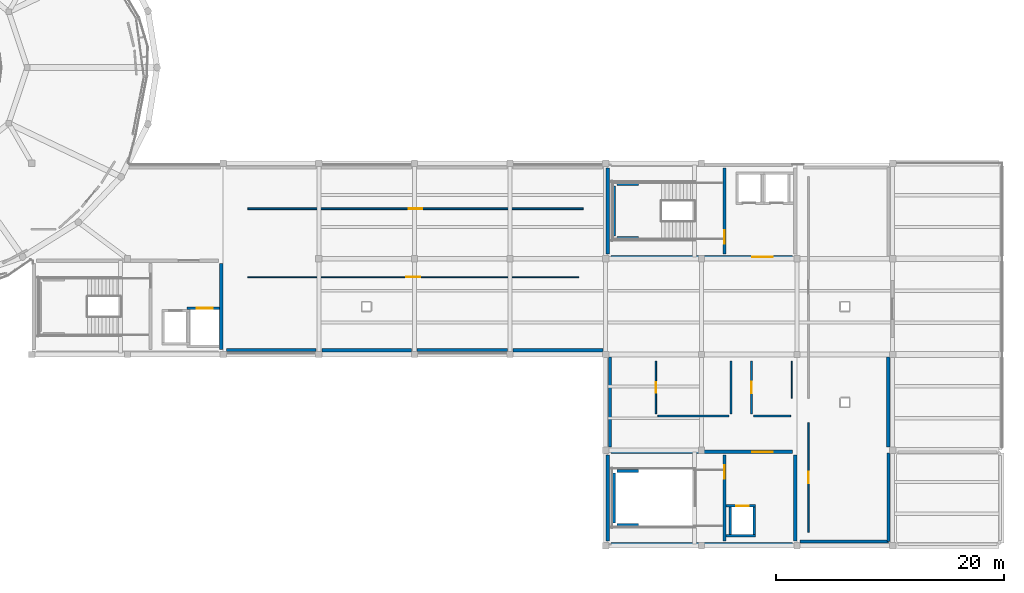
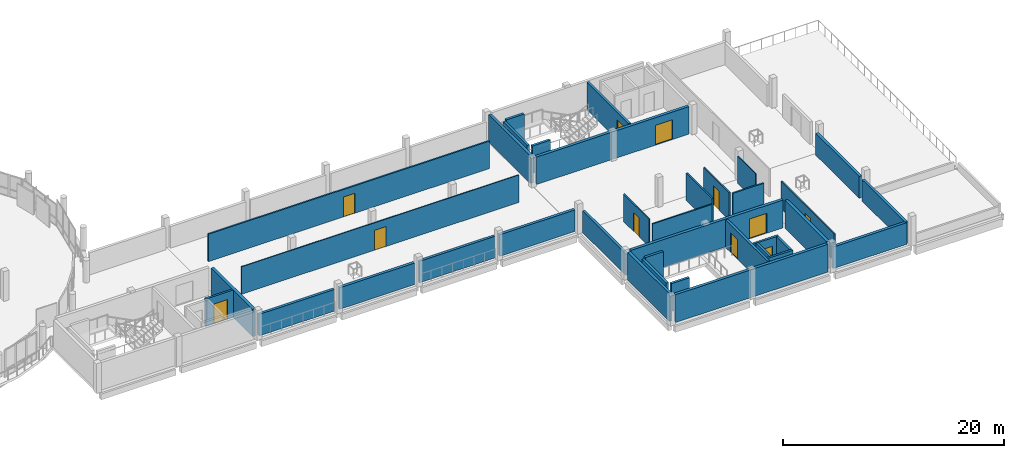
# One storey, part 32 of 43: 37 walls, 11 doors, 11 openings.
"""IFC4 building model written with IfcOpenShell, lengths in metres."""

from ifc_helpers import new_model, si_unit, derived_unit, direction, frame, frame_2d, origin, place, context, subcontext, project, spatial, rectangle, extrude, material, layer, layer_set, type_object, element, fill, save


model = new_model("IFC4")

# Units and contexts
model_context = context("Model", 3, precision=1e-05, world=origin(), true_north=direction((0.0, 1.0)))
body_context = subcontext(model_context, "Body", "Model", "MODEL_VIEW")
ifc_project = project(units=[si_unit("LENGTHUNIT", "METRE"), si_unit("AREAUNIT", "SQUARE_METRE"), si_unit("VOLUMEUNIT", "CUBIC_METRE"), si_unit("PLANEANGLEUNIT", "RADIAN"), si_unit("MASSUNIT", "GRAM", prefix="KILO"), derived_unit("THERMALTRANSMITTANCEUNIT", [(si_unit("POWERUNIT", "WATT"), 1), (si_unit("LENGTHUNIT", "METRE"), -2), (si_unit("THERMODYNAMICTEMPERATUREUNIT", "KELVIN"), -1)])], contexts=[model_context])

# Site, building, storey
site_placement = place(None, origin())
site = spatial("IfcSite", under=ifc_project, at=site_placement, CompositionType="ELEMENT")
building_placement = place(site_placement, origin())
building = spatial("IfcBuilding", under=site, at=building_placement, Name="Elbkamm Science Centre", CompositionType="ELEMENT")
storey_placement = place(building_placement, frame((0.0, 0.0, 18.300048828125)))
storey = spatial("IfcBuildingStorey", under=building, at=storey_placement, Name="L04", CompositionType="ELEMENT", Elevation=18.300048828125)

# Walls
ifc_material_1 = material(Name="Reinforced concrete C40/50", Category="concrete")
ifc_layer_1 = layer(ifc_material_1, 0.25)
ifc_layer_set_1 = layer_set([ifc_layer_1], Name="Reinforced concrete C40/50")
wall_type_1 = type_object("IfcWallType", Name="WL-CORE-250", PredefinedType="SHEAR", material=ifc_layer_set_1)
wall_1_placement = place(storey_placement, frame((126.739990234375, 52.419921875, 0.0), z_axis=(0.0, 0.0, 1.0), x_axis=(0.0, 1.0, 0.0)))
element("IfcWall", 1, at=wall_1_placement, inside=storey, type_object=wall_type_1, Name="L04 ST-C3 Shaft Bearing Wall W", PredefinedType="SHEAR", context=body_context, shape_type="SweptSolid", body=[
    extrude(rectangle(XDim=4.360107421875, YDim=0.25, at=frame_2d((2.18017578125, 0.0))), origin(), (0.0, 0.0, 1.0), 3.0400390625),
])
for number, where, z_axis, x_axis, name in (
    (2, (126.989990234375, 52.219970703125, 0.0), (0.0, 0.0, 1.0), (1.0, 0.0, 0.0), "L04 ST-C3 Shaft Bearing Wall S"),
    (3, (126.989990234375, 56.97998046875, 0.0), (0.0, 0.0, 1.0), (1.0, 0.0, 0.0), "L04 ST-C3 Shaft Bearing Wall N"),
):
    element("IfcWall", number, at=place(storey_placement, frame(where, z_axis=z_axis, x_axis=x_axis)), inside=storey, type_object=wall_type_1, Name=name, PredefinedType="SHEAR", context=body_context, shape_type="SweptSolid", body=[
        extrude(rectangle(XDim=1.889892578125, YDim=0.25, at=frame_2d((0.94482421875, 0.0))), origin(), (0.0, 0.0, 1.0), 3.0400390625),
    ])

# Wall, opening, door
wall_2_placement = place(storey_placement, frame((136.419921875, 50.820068359375, 0.0), z_axis=(0.0, 0.0, 1.0), x_axis=(0.0, 1.0, 0.0)))
wall_2 = element("IfcWall", 4, at=wall_2_placement, inside=storey, type_object=wall_type_1, Name="L04 C3 Stairwell Compartment Wall", PredefinedType="SHEAR", context=body_context, shape_type="SweptSolid", body=[
    extrude(rectangle(XDim=7.559814453125, YDim=0.25, at=frame_2d((3.77978515625, 0.0))), origin(), (0.0, 0.0, 1.0), 3.0400390625),
])
opening_1_placement = place(wall_2_placement, frame((0.89990234375, 0.0, 0.0)))
opening_1 = element("IfcOpeningElement", 5, at=opening_1_placement, cuts=wall_2, Name="Opening DC-02", PredefinedType="OPENING", context=body_context, shape_type="SweptSolid", body=[
    extrude(rectangle(XDim=1.199951171875, YDim=2.199951171875, at=frame_2d((0.60009765625, 1.10009765625))), frame((0.0, 0.136962890625, 0.0), z_axis=(0.0, -1.0, 0.0), x_axis=(1.0, 0.0, 0.0)), (0.0, 0.0, 1.0), 0.27392578125),
])
ifc_material_2 = material(Name="Fire-rated steel acoustic door", Category="steel")
ifc_layer_2 = layer(ifc_material_2, 0.050048828125)
ifc_layer_set_2 = layer_set([ifc_layer_2], Name="Fire-rated steel acoustic door")
door_type_1 = type_object("IfcDoorType", Name="DR-CORE-1200x2200", OperationType="NOTDEFINED", PredefinedType="DOOR", material=ifc_layer_set_2)
door_1_placement = place(opening_1_placement, origin())
door_1 = element("IfcDoor", 6, at=door_1_placement, inside=storey, type_object=door_type_1, Name="L04 ST-C3 Stairwell Fire Door", OperationType="SINGLE_SWING_RIGHT", OverallHeight=2.199951171875, OverallWidth=1.199951171875, PredefinedType="DOOR", context=body_context, shape_type="SweptSolid", body=[
    extrude(rectangle(XDim=1.199951171875, YDim=2.199951171875, at=frame_2d((0.60009765625, 1.10009765625))), frame((0.0, 0.02490234375, 0.0), z_axis=(0.0, -1.0, 0.0), x_axis=(1.0, 0.0, 0.0)), (0.0, 0.0, 1.0), 0.050048828125),
])
fill(opening_1, door_1)

# Walls
wall_3_placement = place(storey_placement, frame((126.739990234375, 27.219970703125, 0.0), z_axis=(0.0, 0.0, 1.0), x_axis=(0.0, 1.0, 0.0)))
element("IfcWall", 7, at=wall_3_placement, inside=storey, type_object=wall_type_1, Name="L04 ST-C4 Shaft Bearing Wall W", PredefinedType="SHEAR", context=body_context, shape_type="SweptSolid", body=[
    extrude(rectangle(XDim=4.360107421875, YDim=0.25, at=frame_2d((2.18017578125, 0.0))), origin(), (0.0, 0.0, 1.0), 3.079833984375),
])
for number, where, z_axis, x_axis, name in (
    (8, (126.989990234375, 27.02001953125, 0.0), (0.0, 0.0, 1.0), (1.0, 0.0, 0.0), "L04 ST-C4 Shaft Bearing Wall S"),
    (9, (126.989990234375, 31.780029296875, 0.0), (0.0, 0.0, 1.0), (1.0, 0.0, 0.0), "L04 ST-C4 Shaft Bearing Wall N"),
):
    element("IfcWall", number, at=place(storey_placement, frame(where, z_axis=z_axis, x_axis=x_axis)), inside=storey, type_object=wall_type_1, Name=name, PredefinedType="SHEAR", context=body_context, shape_type="SweptSolid", body=[
        extrude(rectangle(XDim=1.889892578125, YDim=0.25, at=frame_2d((0.94482421875, 0.0))), origin(), (0.0, 0.0, 1.0), 3.079833984375),
    ])

# Wall, opening, door
wall_4_placement = place(storey_placement, frame((136.419921875, 25.6201171875, 0.0), z_axis=(0.0, 0.0, 1.0), x_axis=(0.0, 1.0, 0.0)))
wall_4 = element("IfcWall", 10, at=wall_4_placement, inside=storey, type_object=wall_type_1, Name="L04 C4 Stairwell Compartment Wall", PredefinedType="SHEAR", context=body_context, shape_type="SweptSolid", body=[
    extrude(rectangle(XDim=7.559814453125, YDim=0.25, at=frame_2d((3.77978515625, 0.0))), origin(), (0.0, 0.0, 1.0), 3.079833984375),
])
opening_2_placement = place(wall_4_placement, frame((5.4599609375, 0.0, 0.0)))
opening_2 = element("IfcOpeningElement", 11, at=opening_2_placement, cuts=wall_4, Name="Opening DC-02", PredefinedType="OPENING", context=body_context, shape_type="SweptSolid", body=[
    extrude(rectangle(XDim=1.199951171875, YDim=2.199951171875, at=frame_2d((0.60009765625, 1.10009765625))), frame((0.0, 0.136962890625, 0.0), z_axis=(0.0, -1.0, 0.0), x_axis=(1.0, 0.0, 0.0)), (0.0, 0.0, 1.0), 0.27392578125),
])
door_2_placement = place(opening_2_placement, origin())
door_2 = element("IfcDoor", 12, at=door_2_placement, inside=storey, type_object=door_type_1, Name="L04 ST-C4 Stairwell Fire Door", OperationType="SINGLE_SWING_LEFT", OverallHeight=2.199951171875, OverallWidth=1.199951171875, PredefinedType="DOOR", context=body_context, shape_type="SweptSolid", body=[
    extrude(rectangle(XDim=1.199951171875, YDim=2.199951171875, at=frame_2d((0.60009765625, 1.10009765625))), frame((0.0, 0.02490234375, 0.0), z_axis=(0.0, -1.0, 0.0), x_axis=(1.0, 0.0, 0.0)), (0.0, 0.0, 1.0), 0.050048828125),
])
fill(opening_2, door_2)

# Wall
ifc_layer_3 = layer(ifc_material_1, 0.300048828125)
ifc_layer_set_3 = layer_set([ifc_layer_3], Name="Reinforced concrete C40/50")
wall_type_2 = type_object("IfcWallType", Name="WL-CORE-300", PredefinedType="SHEAR", material=ifc_layer_set_3)
wall_5_placement = place(storey_placement, frame((92.25, 42.419921875, 0.0), z_axis=(0.0, 0.0, 1.0), x_axis=(0.0, 1.0, 0.0)))
element("IfcWall", 13, at=wall_5_placement, inside=storey, type_object=wall_type_2, Name="L04 Core C2 Central Exhibition and Skybridge Core Shear Wall E", PredefinedType="SHEAR", context=body_context, shape_type="SweptSolid", body=[
    extrude(rectangle(XDim=7.56005859375, YDim=0.300048828125, at=frame_2d((3.780029296875, 0.0))), origin(), (0.0, 0.0, 1.0), 3.0400390625),
])

# Wall, opening, door
wall_6_placement = place(storey_placement, frame((126.449951171875, 50.550048828125, 0.0), z_axis=(0.0, 0.0, 1.0), x_axis=(1.0, 0.0, 0.0)))
wall_6 = element("IfcWall", 14, at=wall_6_placement, inside=storey, type_object=wall_type_2, Name="L04 Core C3 Northeast Laboratories and Observatory Core Shear Wall S", PredefinedType="SHEAR", context=body_context, shape_type="SweptSolid", body=[
    extrude(rectangle(XDim=15.929931640625, YDim=0.300048828125, at=frame_2d((7.96484375, 0.0))), origin(), (0.0, 0.0, 1.0), 3.0400390625),
])
opening_3_placement = place(wall_6_placement, frame((12.429931640625, 0.0, 0.0)))
opening_3 = element("IfcOpeningElement", 15, at=opening_3_placement, cuts=wall_6, Name="Opening DC-01", PredefinedType="OPENING", context=body_context, shape_type="SweptSolid", body=[
    extrude(rectangle(XDim=1.800048828125, YDim=2.199951171875, at=frame_2d((0.89990234375, 1.10009765625))), frame((0.0, 0.162109375, 0.0), z_axis=(0.0, -1.0, 0.0), x_axis=(1.0, 0.0, 0.0)), (0.0, 0.0, 1.0), 0.323974609375),
])
ifc_layer_4 = layer(ifc_material_2, 0.050048828125)
ifc_layer_set_4 = layer_set([ifc_layer_4], Name="Fire-rated steel acoustic door")
door_type_2 = type_object("IfcDoorType", Name="DR-CORE-1800x2200", OperationType="DOUBLE_DOOR_SINGLE_SWING", PredefinedType="DOOR", material=ifc_layer_set_4)
door_3_placement = place(opening_3_placement, origin())
door_3 = element("IfcDoor", 16, at=door_3_placement, inside=storey, type_object=door_type_2, Name="L04 C3 Core Lobby Fire Door", OperationType="DOUBLE_DOOR_SINGLE_SWING", OverallHeight=2.199951171875, OverallWidth=1.800048828125, PredefinedType="DOOR", context=body_context, shape_type="SweptSolid", body=[
    extrude(rectangle(XDim=1.800048828125, YDim=2.199951171875, at=frame_2d((0.89990234375, 1.10009765625))), frame((0.0, 0.02490234375, 0.0), z_axis=(0.0, -1.0, 0.0), x_axis=(1.0, 0.0, 0.0)), (0.0, 0.0, 1.0), 0.050048828125),
])
fill(opening_3, door_3)

# Walls
wall_7_placement = place(storey_placement, frame((126.179931640625, 50.820068359375, 0.0), z_axis=(0.0, 0.0, 1.0), x_axis=(0.0, 1.0, 0.0)))
element("IfcWall", 17, at=wall_7_placement, inside=storey, type_object=wall_type_2, Name="L04 Core C3 Northeast Laboratories and Observatory Core Shear Wall W", PredefinedType="SHEAR", context=body_context, shape_type="SweptSolid", body=[
    extrude(rectangle(XDim=7.559814453125, YDim=0.300048828125, at=frame_2d((3.77978515625, 0.0))), origin(), (0.0, 0.0, 1.0), 3.0400390625),
])
wall_8_placement = place(storey_placement, frame((126.449951171875, 25.35009765625, 0.0), z_axis=(0.0, 0.0, 1.0), x_axis=(1.0, 0.0, 0.0)))
element("IfcWall", 18, at=wall_8_placement, inside=storey, type_object=wall_type_2, Name="L04 Core C4 Southeast Workshops and Library Core Shear Wall S", PredefinedType="SHEAR", context=body_context, shape_type="SweptSolid", body=[
    extrude(rectangle(XDim=15.929931640625, YDim=0.300048828125, at=frame_2d((7.96484375, 0.0))), origin(), (0.0, 0.0, 1.0), 3.079833984375),
])

# Wall, opening, door
wall_9_placement = place(storey_placement, frame((126.449951171875, 33.449951171875, 0.0), z_axis=(0.0, 0.0, 1.0), x_axis=(1.0, 0.0, 0.0)))
wall_9 = element("IfcWall", 19, at=wall_9_placement, inside=storey, type_object=wall_type_2, Name="L04 Core C4 Southeast Workshops and Library Core Shear Wall N", PredefinedType="SHEAR", context=body_context, shape_type="SweptSolid", body=[
    extrude(rectangle(XDim=15.929931640625, YDim=0.300048828125, at=frame_2d((7.96484375, 0.0))), origin(), (0.0, 0.0, 1.0), 3.079833984375),
])
opening_4_placement = place(wall_9_placement, frame((12.429931640625, 0.0, 0.0)))
opening_4 = element("IfcOpeningElement", 20, at=opening_4_placement, cuts=wall_9, Name="Opening DC-01", PredefinedType="OPENING", context=body_context, shape_type="SweptSolid", body=[
    extrude(rectangle(XDim=1.800048828125, YDim=2.199951171875, at=frame_2d((0.89990234375, 1.10009765625))), frame((0.0, 0.162109375, 0.0), z_axis=(0.0, -1.0, 0.0), x_axis=(1.0, 0.0, 0.0)), (0.0, 0.0, 1.0), 0.323974609375),
])
door_4_placement = place(opening_4_placement, origin())
door_4 = element("IfcDoor", 21, at=door_4_placement, inside=storey, type_object=door_type_2, Name="L04 C4 Core Lobby Fire Door", OperationType="DOUBLE_DOOR_SINGLE_SWING", OverallHeight=2.199951171875, OverallWidth=1.800048828125, PredefinedType="DOOR", context=body_context, shape_type="SweptSolid", body=[
    extrude(rectangle(XDim=1.800048828125, YDim=2.199951171875, at=frame_2d((0.89990234375, 1.10009765625))), frame((0.0, 0.02490234375, 0.0), z_axis=(0.0, -1.0, 0.0), x_axis=(1.0, 0.0, 0.0)), (0.0, 0.0, 1.0), 0.050048828125),
])
fill(opening_4, door_4)

# Walls
for number, where, z_axis, x_axis, name in (
    (22, (126.179931640625, 25.6201171875, 0.0), (0.0, 0.0, 1.0), (0.0, 1.0, 0.0), "L04 Core C4 Southeast Workshops and Library Core Shear Wall W"),
    (23, (142.64990234375, 25.6201171875, 0.0), (0.0, 0.0, 1.0), (0.0, 1.0, 0.0), "L04 Core C4 Southeast Workshops and Library Core Shear Wall E"),
):
    element("IfcWall", number, at=place(storey_placement, frame(where, z_axis=z_axis, x_axis=x_axis)), inside=storey, type_object=wall_type_2, Name=name, PredefinedType="SHEAR", context=body_context, shape_type="SweptSolid", body=[
        extrude(rectangle(XDim=7.559814453125, YDim=0.300048828125, at=frame_2d((3.77978515625, 0.0))), origin(), (0.0, 0.0, 1.0), 3.079833984375),
    ])
ifc_material_3 = material(Name="White precast concrete C40/50", Category="concrete")
ifc_layer_5 = layer(ifc_material_3, 0.27001953125)
ifc_layer_set_5 = layer_set([ifc_layer_5], Name="White precast concrete C40/50")
wall_type_3 = type_object("IfcWallType", Name="WL-EXT-270", PredefinedType="SOLIDWALL", material=ifc_layer_set_5)
wall_10_placement = place(storey_placement, frame((150.820068359375, 33.36083984375, 0.0), z_axis=(0.0, 0.0, 1.0), x_axis=(0.0, -1.0, 0.0)))
element("IfcWall", 24, at=wall_10_placement, inside=storey, type_object=wall_type_3, Name="L04 Exterior Wall 0301", PredefinedType="SOLIDWALL", context=body_context, shape_type="SweptSolid", body=[
    extrude(rectangle(XDim=7.78076171875, YDim=0.27001953125, at=frame_2d((3.890380859375, 0.0))), origin(), (0.0, 0.0, 1.0), 2.389892578125),
])
wall_11_placement = place(storey_placement, frame((126.3798828125, 33.876953125, 0.0), z_axis=(0.0, 0.0, 1.0), x_axis=(0.0, 1.0, 0.0)))
element("IfcWall", 25, at=wall_11_placement, inside=storey, type_object=wall_type_3, Name="L04 Exterior Wall 0303", PredefinedType="SOLIDWALL", context=body_context, shape_type="SweptSolid", body=[
    extrude(rectangle(XDim=7.884033203125, YDim=0.27001953125, at=frame_2d((3.94189453125, 0.0))), origin(), (0.0, 0.0, 1.0), 2.389892578125),
])
wall_12_placement = place(storey_placement, frame((117.36083984375, 42.3798828125, 0.0), z_axis=(0.0, 0.0, 1.0), x_axis=(-1.0, 0.0, 0.0)))
element("IfcWall", 26, at=wall_12_placement, inside=storey, type_object=wall_type_3, Name="L04 Exterior Wall 0305", PredefinedType="SOLIDWALL", context=body_context, shape_type="SweptSolid", body=[
    extrude(rectangle(XDim=7.921630859375, YDim=0.27001953125, at=frame_2d((3.9609375, 0.0))), origin(), (0.0, 0.0, 1.0), 2.389892578125),
])
wall_13_placement = place(storey_placement, frame((100.560791015625, 42.3798828125, 0.0), z_axis=(0.0, 0.0, 1.0), x_axis=(-1.0, 0.0, 0.0)))
element("IfcWall", 27, at=wall_13_placement, inside=storey, type_object=wall_type_3, Name="L04 Exterior Wall 0307", PredefinedType="SOLIDWALL", context=body_context, shape_type="SweptSolid", body=[
    extrude(rectangle(XDim=7.8837890625, YDim=0.27001953125, at=frame_2d((3.94189453125, 0.0))), origin(), (0.0, 0.0, 1.0), 2.389892578125),
])
ifc_layer_6 = layer(ifc_material_3, 0.2900390625)
ifc_layer_set_6 = layer_set([ifc_layer_6], Name="White precast concrete C40/50")
wall_type_4 = type_object("IfcWallType", Name="WL-EXT-290", PredefinedType="SOLIDWALL", material=ifc_layer_set_6)
wall_14_placement = place(storey_placement, frame((150.820068359375, 41.760986328125, 0.0), z_axis=(0.0, 0.0, 1.0), x_axis=(0.0, -1.0, 0.0)))
element("IfcWall", 28, at=wall_14_placement, inside=storey, type_object=wall_type_4, Name="L04 Exterior Wall 0300", PredefinedType="SOLIDWALL", context=body_context, shape_type="SweptSolid", body=[
    extrude(rectangle(XDim=7.884033203125, YDim=0.2900390625, at=frame_2d((3.94189453125, 0.0))), origin(), (0.0, 0.0, 1.0), 2.429931640625),
])
wall_15_placement = place(storey_placement, frame((150.820068359375, 25.580078125, 0.0), z_axis=(0.0, 0.0, 1.0), x_axis=(-1.0, 0.0, 0.0)))
element("IfcWall", 29, at=wall_15_placement, inside=storey, type_object=wall_type_4, Name="L04 Exterior Wall 0302", PredefinedType="SOLIDWALL", context=body_context, shape_type="SweptSolid", body=[
    extrude(rectangle(XDim=7.7431640625, YDim=0.2900390625, at=frame_2d((3.87158203125, 0.0))), origin(), (0.0, 0.0, 1.0), 2.389892578125),
])
wall_16_placement = place(storey_placement, frame((125.760986328125, 42.3798828125, 0.0), z_axis=(0.0, 0.0, 1.0), x_axis=(-1.0, 0.0, 0.0)))
element("IfcWall", 30, at=wall_16_placement, inside=storey, type_object=wall_type_4, Name="L04 Exterior Wall 0304", PredefinedType="SOLIDWALL", context=body_context, shape_type="SweptSolid", body=[
    extrude(rectangle(XDim=7.921875, YDim=0.2900390625, at=frame_2d((3.9609375, 0.0))), origin(), (0.0, 0.0, 1.0), 2.389892578125),
])
wall_17_placement = place(storey_placement, frame((108.9609375, 42.3798828125, 0.0), z_axis=(0.0, 0.0, 1.0), x_axis=(-1.0, 0.0, 0.0)))
element("IfcWall", 31, at=wall_17_placement, inside=storey, type_object=wall_type_4, Name="L04 Exterior Wall 0306", PredefinedType="SOLIDWALL", context=body_context, shape_type="SweptSolid", body=[
    extrude(rectangle(XDim=7.884033203125, YDim=0.2900390625, at=frame_2d((3.94189453125, 0.0))), origin(), (0.0, 0.0, 1.0), 2.389892578125),
])

# Wall, opening, door
ifc_material_4 = material(Name="Drywall service partition", Category="gypsum")
ifc_layer_7 = layer(ifc_material_4, 0.10009765625)
ifc_layer_set_7 = layer_set([ifc_layer_7], Name="Drywall service partition")
wall_type_5 = type_object("IfcWallType", Name="WL-PART-100", PredefinedType="PARTITIONING", material=ifc_layer_set_7)
wall_18_placement = place(storey_placement, frame((94.580078125, 48.800048828125, 0.0), z_axis=(0.0, 0.0, 1.0), x_axis=(1.0, 0.0, 0.0)))
wall_18 = element("IfcWall", 32, at=wall_18_placement, inside=storey, type_object=wall_type_5, Name="L04 Faculty Research Office Partition 0255", PredefinedType="PARTITIONING", context=body_context, shape_type="SweptSolid", body=[
    extrude(rectangle(XDim=29.0400390625, YDim=0.10009765625, at=frame_2d((14.52001953125, 0.0))), origin(), (0.0, 0.0, 1.0), 3.0400390625),
])
opening_5_placement = place(wall_18_placement, frame((13.919921875, 0.0, 0.0)))
opening_5 = element("IfcOpeningElement", 33, at=opening_5_placement, cuts=wall_18, Name="Opening DI-04", PredefinedType="OPENING", context=body_context, shape_type="SweptSolid", body=[
    extrude(rectangle(XDim=1.199951171875, YDim=2.199951171875, at=frame_2d((0.60009765625, 1.10009765625))), frame((0.0, 0.06201171875, 0.0), z_axis=(0.0, -1.0, 0.0), x_axis=(1.0, 0.0, 0.0)), (0.0, 0.0, 1.0), 0.1240234375),
])
ifc_material_5 = material(Name="Acoustic oak veneer door")
ifc_layer_8 = layer(ifc_material_5, 0.050048828125)
ifc_layer_set_8 = layer_set([ifc_layer_8], Name="Acoustic oak veneer door")
door_type_3 = type_object("IfcDoorType", Name="DR-INT-1200x2200", OperationType="NOTDEFINED", PredefinedType="DOOR", material=ifc_layer_set_8)
door_5_placement = place(opening_5_placement, origin())
door_5 = element("IfcDoor", 34, at=door_5_placement, inside=storey, type_object=door_type_3, Name="L04 Faculty Research Office Door", OperationType="SINGLE_SWING_RIGHT", OverallHeight=2.199951171875, OverallWidth=1.199951171875, PredefinedType="DOOR", context=body_context, shape_type="SweptSolid", body=[
    extrude(rectangle(XDim=1.199951171875, YDim=2.199951171875, at=frame_2d((0.60009765625, 1.10009765625))), frame((0.0, 0.02490234375, 0.0), z_axis=(0.0, -1.0, 0.0), x_axis=(1.0, 0.0, 0.0)), (0.0, 0.0, 1.0), 0.050048828125),
])
fill(opening_5, door_5)

# Wall
wall_19_placement = place(storey_placement, frame((142.35009765625, 41.419921875, 0.0), z_axis=(0.0, 0.0, 1.0), x_axis=(0.0, -1.0, 0.0)))
element("IfcWall", 35, at=wall_19_placement, inside=storey, type_object=wall_type_5, Name="L04 Accessible WC L04 Partition 0259", PredefinedType="PARTITIONING", context=body_context, shape_type="SweptSolid", body=[
    extrude(rectangle(XDim=3.239990234375, YDim=0.10009765625, at=frame_2d((1.6201171875, 0.0))), origin(), (0.0, 0.0, 1.0), 3.0400390625),
])

# Wall, opening, door
ifc_material_6 = material(Name="Lightweight metal-stud gypsum partition", Category="gypsum")
ifc_layer_9 = layer(ifc_material_6, 0.125)
ifc_layer_set_9 = layer_set([ifc_layer_9], Name="Lightweight metal-stud gypsum partition")
wall_type_6 = type_object("IfcWallType", Name="WL-PART-125", PredefinedType="PARTITIONING", material=ifc_layer_set_9)
wall_20_placement = place(storey_placement, frame((130.39990234375, 36.780029296875, 0.0), z_axis=(0.0, 0.0, 1.0), x_axis=(0.0, 1.0, 0.0)))
wall_20 = element("IfcWall", 36, at=wall_20_placement, inside=storey, type_object=wall_type_6, Name="L04 Public Washrooms L04 Partition 0258", PredefinedType="PARTITIONING", context=body_context, shape_type="SweptSolid", body=[
    extrude(rectangle(XDim=4.639892578125, YDim=0.125, at=frame_2d((2.31982421875, 0.0))), origin(), (0.0, 0.0, 1.0), 3.0400390625),
])
opening_6_placement = place(wall_20_placement, frame((1.844970703125, 0.0, 0.0)))
opening_6 = element("IfcOpeningElement", 37, at=opening_6_placement, cuts=wall_20, Name="Opening DI-09", PredefinedType="OPENING", context=body_context, shape_type="SweptSolid", body=[
    extrude(rectangle(XDim=0.949951171875, YDim=2.10009765625, at=frame_2d((0.47509765625, 1.050048828125))), frame((0.0, 0.074462890625, 0.0), z_axis=(0.0, -1.0, 0.0), x_axis=(1.0, 0.0, 0.0)), (0.0, 0.0, 1.0), 0.14892578125),
])
ifc_material_7 = material(Name="Powder-coated aluminium washroom door", Category="aluminium")
ifc_layer_10 = layer(ifc_material_7, 0.050048828125)
ifc_layer_set_10 = layer_set([ifc_layer_10], Name="Powder-coated aluminium washroom door")
door_type_4 = type_object("IfcDoorType", Name="DR-INT-950x2100", OperationType="NOTDEFINED", PredefinedType="DOOR", material=ifc_layer_set_10)
door_6_placement = place(opening_6_placement, origin())
door_6 = element("IfcDoor", 38, at=door_6_placement, inside=storey, type_object=door_type_4, Name="L04 Public Washrooms L04 Door", OperationType="SINGLE_SWING_LEFT", OverallHeight=2.10009765625, OverallWidth=0.949951171875, PredefinedType="DOOR", context=body_context, shape_type="SweptSolid", body=[
    extrude(rectangle(XDim=0.949951171875, YDim=2.10009765625, at=frame_2d((0.47509765625, 1.050048828125))), frame((0.0, 0.02490234375, 0.0), z_axis=(0.0, -1.0, 0.0), x_axis=(1.0, 0.0, 0.0)), (0.0, 0.0, 1.0), 0.050048828125),
])
fill(opening_6, door_6)

ifc_material_8 = material(Name="Acoustic metal-stud gypsum partition", Category="gypsum")
ifc_layer_11 = layer(ifc_material_8, 0.139892578125)
ifc_layer_set_11 = layer_set([ifc_layer_11], Name="Acoustic metal-stud gypsum partition")
wall_type_7 = type_object("IfcWallType", Name="WL-PART-140", PredefinedType="PARTITIONING", material=ifc_layer_set_11)
wall_21_placement = place(storey_placement, frame((143.800048828125, 26.3798828125, 0.0), z_axis=(0.0, 0.0, 1.0), x_axis=(0.0, 1.0, 0.0)))
wall_21 = element("IfcWall", 39, at=wall_21_placement, inside=storey, type_object=wall_type_7, Name="L04 Visiting Fellows Seminar Room Partition 0253", PredefinedType="PARTITIONING", context=body_context, shape_type="SweptSolid", body=[
    extrude(rectangle(XDim=9.64013671875, YDim=0.139892578125, at=frame_2d((4.820068359375, 0.0))), origin(), (0.0, 0.0, 1.0), 3.0400390625),
])
opening_7_placement = place(wall_21_placement, frame((4.320068359375, 0.0, 0.0)))
opening_7 = element("IfcOpeningElement", 40, at=opening_7_placement, cuts=wall_21, Name="Opening DI-08", PredefinedType="OPENING", context=body_context, shape_type="SweptSolid", body=[
    extrude(rectangle(XDim=1.0, YDim=2.14990234375, at=frame_2d((0.5, 1.074951171875))), frame((0.0, 0.08203125, 0.0), z_axis=(0.0, -1.0, 0.0), x_axis=(1.0, 0.0, 0.0)), (0.0, 0.0, 1.0), 0.163818359375),
])
ifc_layer_12 = layer(ifc_material_5, 0.050048828125)
ifc_layer_set_12 = layer_set([ifc_layer_12], Name="Acoustic oak veneer door")
door_type_5 = type_object("IfcDoorType", Name="DR-INT-1000x2150", OperationType="NOTDEFINED", PredefinedType="DOOR", material=ifc_layer_set_12)
door_7_placement = place(opening_7_placement, origin())
door_7 = element("IfcDoor", 41, at=door_7_placement, inside=storey, type_object=door_type_5, Name="L04 Visiting Fellows Seminar Room Door", OperationType="SINGLE_SWING_LEFT", OverallHeight=2.14990234375, OverallWidth=1.0, PredefinedType="DOOR", context=body_context, shape_type="SweptSolid", body=[
    extrude(rectangle(XDim=1.0, YDim=2.14990234375, at=frame_2d((0.5, 1.074951171875))), frame((0.0, 0.02490234375, 0.0), z_axis=(0.0, -1.0, 0.0), x_axis=(1.0, 0.0, 0.0)), (0.0, 0.0, 1.0), 0.050048828125),
])
fill(opening_7, door_7)

# Wall
wall_22_placement = place(storey_placement, frame((136.820068359375, 36.60009765625, 0.0), z_axis=(0.0, 0.0, 1.0), x_axis=(-1.0, 0.0, 0.0)))
element("IfcWall", 42, at=wall_22_placement, inside=storey, type_object=wall_type_7, Name="L04 Public Washrooms L04 Partition 0257", PredefinedType="PARTITIONING", context=body_context, shape_type="SweptSolid", body=[
    extrude(rectangle(XDim=6.239990234375, YDim=0.139892578125, at=frame_2d((3.1201171875, 0.0))), origin(), (0.0, 0.0, 1.0), 2.58984375),
])

# Wall, opening, door
wall_23_placement = place(storey_placement, frame((138.800048828125, 36.780029296875, 0.0), z_axis=(0.0, 0.0, 1.0), x_axis=(0.0, 1.0, 0.0)))
wall_23 = element("IfcWall", 43, at=wall_23_placement, inside=storey, type_object=wall_type_7, Name="L04 Accessible WC L04 Partition 0261", PredefinedType="PARTITIONING", context=body_context, shape_type="SweptSolid", body=[
    extrude(rectangle(XDim=4.639892578125, YDim=0.139892578125, at=frame_2d((2.31982421875, 0.0))), origin(), (0.0, 0.0, 1.0), 3.0400390625),
])
opening_8_placement = place(wall_23_placement, frame((1.820068359375, 0.0, 0.0)))
opening_8 = element("IfcOpeningElement", 44, at=opening_8_placement, cuts=wall_23, Name="Opening DI-10", PredefinedType="OPENING", context=body_context, shape_type="SweptSolid", body=[
    extrude(rectangle(XDim=1.0, YDim=2.10009765625, at=frame_2d((0.5, 1.050048828125))), frame((0.0, 0.08203125, 0.0), z_axis=(0.0, -1.0, 0.0), x_axis=(1.0, 0.0, 0.0)), (0.0, 0.0, 1.0), 0.163818359375),
])
ifc_material_9 = material(Name="Powder-coated aluminium accessible WC door", Category="aluminium")
ifc_layer_13 = layer(ifc_material_9, 0.050048828125)
ifc_layer_set_13 = layer_set([ifc_layer_13], Name="Powder-coated aluminium accessible WC door")
door_type_6 = type_object("IfcDoorType", Name="DR-AWC-1000x2100", OperationType="NOTDEFINED", PredefinedType="DOOR", material=ifc_layer_set_13)
door_8_placement = place(opening_8_placement, origin())
door_8 = element("IfcDoor", 45, at=door_8_placement, inside=storey, type_object=door_type_6, Name="L04 Accessible WC L04 Door", OperationType="SINGLE_SWING_LEFT", OverallHeight=2.10009765625, OverallWidth=1.0, PredefinedType="DOOR", context=body_context, shape_type="SweptSolid", body=[
    extrude(rectangle(XDim=1.0, YDim=2.10009765625, at=frame_2d((0.5, 1.050048828125))), frame((0.0, 0.02490234375, 0.0), z_axis=(0.0, -1.0, 0.0), x_axis=(1.0, 0.0, 0.0)), (0.0, 0.0, 1.0), 0.050048828125),
])
fill(opening_8, door_8)

ifc_layer_14 = layer(ifc_material_8, 0.159912109375)
ifc_layer_set_14 = layer_set([ifc_layer_14], Name="Acoustic metal-stud gypsum partition")
wall_type_8 = type_object("IfcWallType", Name="WL-PART-160", PredefinedType="PARTITIONING", material=ifc_layer_set_14)
wall_24_placement = place(storey_placement, frame((124.02001953125, 54.800048828125, 0.0), z_axis=(0.0, 0.0, 1.0), x_axis=(-1.0, 0.0, 0.0)))
wall_24 = element("IfcWall", 46, at=wall_24_placement, inside=storey, type_object=wall_type_8, Name="L04 Natural Science Reference Library Partition 0252", PredefinedType="PARTITIONING", context=body_context, shape_type="SweptSolid", body=[
    extrude(rectangle(XDim=29.43994140625, YDim=0.159912109375, at=frame_2d((14.719970703125, 0.0))), origin(), (0.0, 0.0, 1.0), 3.0400390625),
])
opening_9_placement = place(wall_24_placement, frame((14.1201171875, 0.0, 0.0)))
opening_9 = element("IfcOpeningElement", 47, at=opening_9_placement, cuts=wall_24, Name="Opening DI-04", PredefinedType="OPENING", context=body_context, shape_type="SweptSolid", body=[
    extrude(rectangle(XDim=1.199951171875, YDim=2.199951171875, at=frame_2d((0.60009765625, 1.10009765625))), frame((0.0, 0.091796875, 0.0), z_axis=(0.0, -1.0, 0.0), x_axis=(1.0, 0.0, 0.0)), (0.0, 0.0, 1.0), 0.183837890625),
])
door_9_placement = place(opening_9_placement, origin())
door_9 = element("IfcDoor", 48, at=door_9_placement, inside=storey, type_object=door_type_3, Name="L04 Natural Science Reference Library Door", OperationType="SINGLE_SWING_RIGHT", OverallHeight=2.199951171875, OverallWidth=1.199951171875, PredefinedType="DOOR", context=body_context, shape_type="SweptSolid", body=[
    extrude(rectangle(XDim=1.199951171875, YDim=2.199951171875, at=frame_2d((0.60009765625, 1.10009765625))), frame((0.0, 0.02490234375, 0.0), z_axis=(0.0, -1.0, 0.0), x_axis=(1.0, 0.0, 0.0)), (0.0, 0.0, 1.0), 0.050048828125),
])
fill(opening_9, door_9)

# Walls
wall_25_placement = place(storey_placement, frame((137.0, 41.419921875, 0.0), z_axis=(0.0, 0.0, 1.0), x_axis=(0.0, -1.0, 0.0)))
element("IfcWall", 49, at=wall_25_placement, inside=storey, type_object=wall_type_8, Name="L04 Public Washrooms L04 Partition 0256", PredefinedType="PARTITIONING", context=body_context, shape_type="SweptSolid", body=[
    extrude(rectangle(XDim=4.639892578125, YDim=0.159912109375, at=frame_2d((2.31982421875, 0.0))), origin(), (0.0, 0.0, 1.0), 3.0400390625),
])
wall_26_placement = place(storey_placement, frame((142.227294921875, 36.60009765625, 0.0), z_axis=(0.0, 0.0, 1.0), x_axis=(-1.0, 0.0, 0.0)))
element("IfcWall", 50, at=wall_26_placement, inside=storey, type_object=wall_type_8, Name="L04 Accessible WC L04 Partition 0260", PredefinedType="PARTITIONING", context=body_context, shape_type="SweptSolid", body=[
    extrude(rectangle(XDim=3.247314453125, YDim=0.159912109375, at=frame_2d((1.62353515625, 0.0))), origin(), (0.0, 0.0, 1.0), 3.0400390625),
])

# Wall, opening, door
ifc_layer_15 = layer(ifc_material_1, 0.219970703125)
ifc_layer_set_15 = layer_set([ifc_layer_15], Name="Reinforced concrete C40/50")
wall_type_9 = type_object("IfcWallType", Name="WL-SHAFT-220", PredefinedType="SOLIDWALL", material=ifc_layer_set_15)
wall_27_placement = place(storey_placement, frame((89.239990234375, 46.06005859375, 0.0), z_axis=(0.0, 0.0, 1.0), x_axis=(1.0, 0.0, 0.0)))
wall_27 = element("IfcWall", 51, at=wall_27_placement, inside=storey, type_object=wall_type_9, Name="L04 Lift GL1 Shaft Front Wall", PredefinedType="SOLIDWALL", context=body_context, shape_type="SweptSolid", body=[
    extrude(rectangle(XDim=2.860107421875, YDim=0.219970703125, at=frame_2d((1.43017578125, 0.0))), origin(), (0.0, 0.0, 1.0), 3.0400390625),
])
opening_10_placement = place(wall_27_placement, frame((0.860107421875, 0.0, 0.0)))
opening_10 = element("IfcOpeningElement", 52, at=opening_10_placement, cuts=wall_27, Name="Opening LD-02", PredefinedType="OPENING", context=body_context, shape_type="SweptSolid", body=[
    extrude(rectangle(XDim=1.39990234375, YDim=2.199951171875, at=frame_2d((0.699951171875, 1.10009765625))), frame((0.0, 0.1220703125, 0.0), z_axis=(0.0, -1.0, 0.0), x_axis=(1.0, 0.0, 0.0)), (0.0, 0.0, 1.0), 0.243896484375),
])
ifc_material_10 = material(Name="Stainless steel freight lift landing door", Category="steel")
ifc_layer_16 = layer(ifc_material_10, 0.050048828125)
ifc_layer_set_16 = layer_set([ifc_layer_16], Name="Stainless steel freight lift landing door")
door_type_7 = type_object("IfcDoorType", Name="DR-LIFT-1400x2200", OperationType="DOUBLE_DOOR_SLIDING", PredefinedType="DOOR", material=ifc_layer_set_16)
door_10_placement = place(opening_10_placement, origin())
door_10 = element("IfcDoor", 53, at=door_10_placement, inside=storey, type_object=door_type_7, Name="L04 Lift GL1 Sliding Landing Door", OperationType="DOUBLE_DOOR_SLIDING", OverallHeight=2.199951171875, OverallWidth=1.39990234375, PredefinedType="DOOR", context=body_context, shape_type="SweptSolid", body=[
    extrude(rectangle(XDim=1.39990234375, YDim=2.199951171875, at=frame_2d((0.699951171875, 1.10009765625))), frame((0.0, 0.02490234375, 0.0), z_axis=(0.0, -1.0, 0.0), x_axis=(1.0, 0.0, 0.0)), (0.0, 0.0, 1.0), 0.050048828125),
])
fill(opening_10, door_10)

# Walls
for number, where, z_axis, x_axis, name in (
    (54, (136.93994140625, 26.199951171875, 0.0), (0.0, 0.0, 1.0), (0.0, 1.0, 0.0), "L04 Lift LP3 Shaft West Wall"),
    (55, (139.06005859375, 26.199951171875, 0.0), (0.0, 0.0, 1.0), (0.0, 1.0, 0.0), "L04 Lift LP3 Shaft East Wall"),
):
    element("IfcWall", number, at=place(storey_placement, frame(where, z_axis=z_axis, x_axis=x_axis)), inside=storey, type_object=wall_type_9, Name=name, PredefinedType="SOLIDWALL", context=body_context, shape_type="SweptSolid", body=[
        extrude(rectangle(XDim=2.400146484375, YDim=0.219970703125, at=frame_2d((1.2001953125, 0.0))), origin(), (0.0, 0.0, 1.0), 3.079833984375),
    ])
wall_28_placement = place(storey_placement, frame((136.56005859375, 26.090087890625, 0.0), z_axis=(0.0, 0.0, 1.0), x_axis=(1.0, 0.0, 0.0)))
element("IfcWall", 56, at=wall_28_placement, inside=storey, type_object=wall_type_9, Name="L04 Lift LP3 Shaft Back Wall", PredefinedType="SOLIDWALL", context=body_context, shape_type="SweptSolid", body=[
    extrude(rectangle(XDim=2.60986328125, YDim=0.219970703125, at=frame_2d((1.304931640625, 0.0))), origin(), (0.0, 0.0, 1.0), 3.079833984375),
])

# Wall, opening, door
wall_29_placement = place(storey_placement, frame((136.56005859375, 28.7099609375, 0.0), z_axis=(0.0, 0.0, 1.0), x_axis=(1.0, 0.0, 0.0)))
wall_29 = element("IfcWall", 57, at=wall_29_placement, inside=storey, type_object=wall_type_9, Name="L04 Lift LP3 Shaft Front Wall", PredefinedType="SOLIDWALL", context=body_context, shape_type="SweptSolid", body=[
    extrude(rectangle(XDim=2.60986328125, YDim=0.219970703125, at=frame_2d((1.304931640625, 0.0))), origin(), (0.0, 0.0, 1.0), 3.079833984375),
])
opening_11_placement = place(wall_29_placement, frame((0.889892578125, 0.0, 0.0)))
opening_11 = element("IfcOpeningElement", 58, at=opening_11_placement, cuts=wall_29, Name="Opening LD-01", PredefinedType="OPENING", context=body_context, shape_type="SweptSolid", body=[
    extrude(rectangle(XDim=1.10009765625, YDim=2.14990234375, at=frame_2d((0.550048828125, 1.074951171875))), frame((0.0, 0.1220703125, 0.0), z_axis=(0.0, -1.0, 0.0), x_axis=(1.0, 0.0, 0.0)), (0.0, 0.0, 1.0), 0.243896484375),
])
ifc_material_11 = material(Name="Stainless steel lift landing door", Category="steel")
ifc_layer_17 = layer(ifc_material_11, 0.050048828125)
ifc_layer_set_17 = layer_set([ifc_layer_17], Name="Stainless steel lift landing door")
door_type_8 = type_object("IfcDoorType", Name="DR-LIFT-1100x2150", OperationType="DOUBLE_DOOR_SLIDING", PredefinedType="DOOR", material=ifc_layer_set_17)
door_11_placement = place(opening_11_placement, origin())
door_11 = element("IfcDoor", 59, at=door_11_placement, inside=storey, type_object=door_type_8, Name="L04 Lift LP3 Sliding Landing Door", OperationType="DOUBLE_DOOR_SLIDING", OverallHeight=2.14990234375, OverallWidth=1.10009765625, PredefinedType="DOOR", context=body_context, shape_type="SweptSolid", body=[
    extrude(rectangle(XDim=1.10009765625, YDim=2.14990234375, at=frame_2d((0.550048828125, 1.074951171875))), frame((0.0, 0.02490234375, 0.0), z_axis=(0.0, -1.0, 0.0), x_axis=(1.0, 0.0, 0.0)), (0.0, 0.0, 1.0), 0.050048828125),
])
fill(opening_11, door_11)

save(model, "model.ifc")
